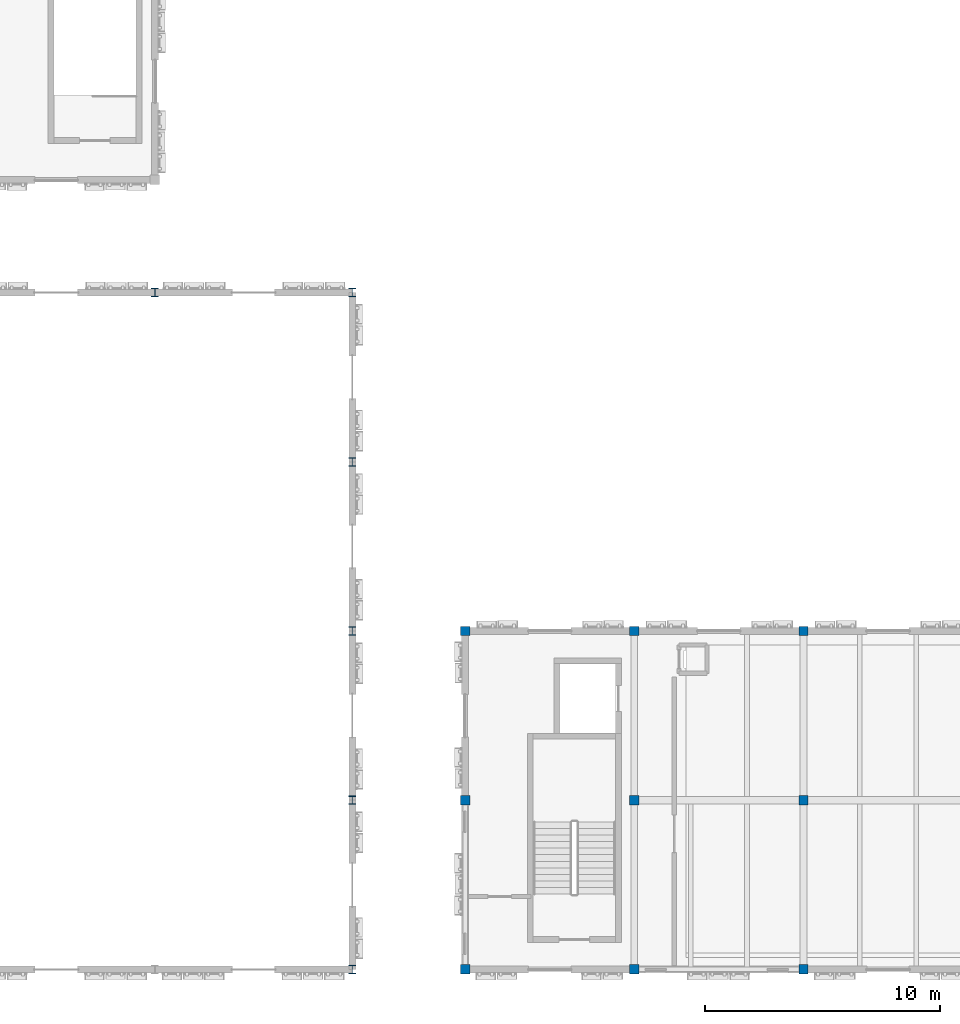
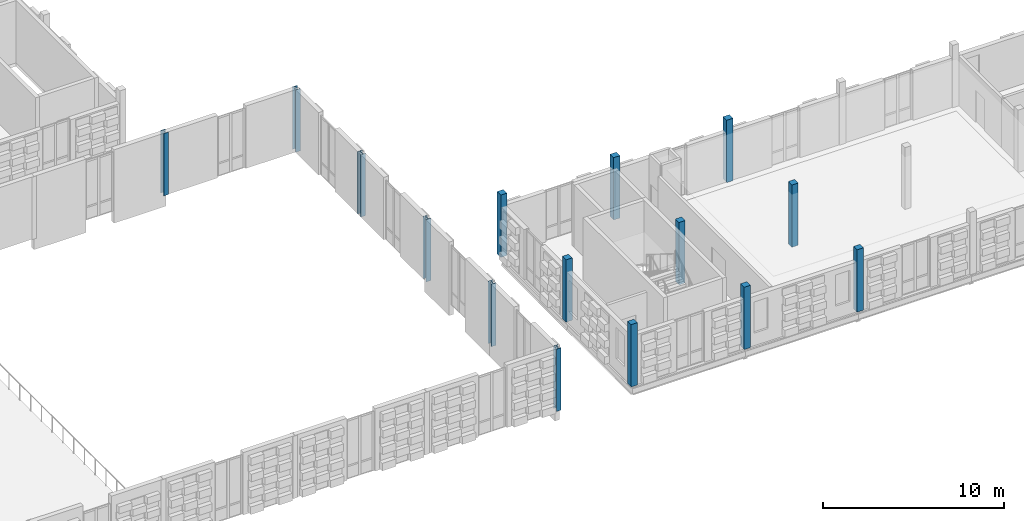
# One storey, part 2 of 81: 15 columns.
"""IFC4 building model written with IfcOpenShell, lengths in metres."""

from ifc_helpers import new_model, si_unit, direction, frame, origin, origin_2d, place, context, subcontext, project, spatial, rectangle, i_section, extrude, material, material_profile, profile_set, type_object, element, save


model = new_model("IFC4")

# Units and contexts
model_context = context("Model", 3, precision=1e-05, world=origin(), true_north=direction((0.0, 1.0)))
body_context = subcontext(model_context, "Body", "Model", "MODEL_VIEW")
ifc_project = project(units=[si_unit("LENGTHUNIT", "METRE"), si_unit("AREAUNIT", "SQUARE_METRE"), si_unit("VOLUMEUNIT", "CUBIC_METRE"), si_unit("PLANEANGLEUNIT", "RADIAN"), si_unit("MASSUNIT", "GRAM", prefix="KILO")], contexts=[model_context])

# Site, building, storey
site_placement = place(None, origin())
site = spatial("IfcSite", under=ifc_project, at=site_placement, CompositionType="ELEMENT")
building_placement = place(site_placement, origin())
building = spatial("IfcBuilding", under=site, at=building_placement, Name="Kahlenmark Community Centre", CompositionType="ELEMENT")
storey_placement = place(building_placement, frame((0.0, 0.0, 9.60009765625)))
storey = spatial("IfcBuildingStorey", under=building, at=storey_placement, Name="L02", CompositionType="ELEMENT", Elevation=9.60009765625)

# Columns
ifc_material_1 = material(Name="Glulam GL32h", Category="wood")
ifc_material_profile_1 = material_profile(ifc_material_1, rectangle(XDim=0.39990234375, YDim=0.39990234375, at=origin_2d()), Name="GL32h 400x400")
ifc_profile_set_1 = profile_set([ifc_material_profile_1], Name="Glulam GL32h")
column_type_1 = type_object("IfcColumnType", Name="CT-GL400", PredefinedType="COLUMN", material=ifc_profile_set_1)
for number, where, z_axis, x_axis, name in (
    (1, (50.800048828125, 8.800048828125, 0.0), (0.0, 0.0, 1.0), (1.0, 0.0, 0.0), "L02 column (50.8, 8.8)"),
    (2, (50.800048828125, 16.0, 0.0), (0.0, 0.0, 1.0), (1.0, 0.0, 0.0), "L02 column (50.8, 16.0)"),
    (3, (50.800048828125, 23.199951171875, 0.0), (0.0, 0.0, 1.0), (1.0, 0.0, 0.0), "L02 column (50.8, 23.2)"),
    (4, (58.0, 8.800048828125, 0.0), (0.0, 0.0, 1.0), (1.0, 0.0, 0.0), "L02 column (58.0, 8.8)"),
    (5, (58.0, 16.0, 0.0), (0.0, 0.0, 1.0), (1.0, 0.0, 0.0), "L02 column (58.0, 16.0)"),
    (6, (58.0, 23.199951171875, 0.0), (0.0, 0.0, 1.0), (1.0, 0.0, 0.0), "L02 column (58.0, 23.2)"),
    (7, (65.199951171875, 8.800048828125, 0.0), (0.0, 0.0, 1.0), (1.0, 0.0, 0.0), "L02 column (65.2, 8.8)"),
    (8, (65.199951171875, 16.0, 0.0), (0.0, 0.0, 1.0), (1.0, 0.0, 0.0), "L02 column (65.2, 16.0)"),
    (9, (65.199951171875, 23.199951171875, 0.0), (0.0, 0.0, 1.0), (1.0, 0.0, 0.0), "L02 column (65.2, 23.2)"),
):
    element("IfcColumn", number, at=place(storey_placement, frame(where, z_axis=z_axis, x_axis=x_axis)), inside=storey, type_object=column_type_1, Name=name, PredefinedType="COLUMN", context=body_context, shape_type="SweptSolid", body=[
        extrude(rectangle(XDim=0.39990234375, YDim=0.39990234375, at=origin_2d()), origin(), (0.0, 0.0, 1.0), 4.199951171875),
    ])
ifc_material_2 = material(Name="Steel S355", Category="steel")
ifc_material_profile_2 = material_profile(ifc_material_2, i_section(OverallWidth=0.300048828125, OverallDepth=0.360107421875, WebThickness=0.012451171875, FlangeThickness=0.0224609375, at=origin_2d()), Name="HEB 360")
ifc_profile_set_2 = profile_set([ifc_material_profile_2], Name="Steel S355")
column_type_2 = type_object("IfcColumnType", Name="CT-HEB360", PredefinedType="COLUMN", material=ifc_profile_set_2)
for number, where, z_axis, x_axis, name in (
    (10, (37.60009765625, 37.60009765625, 0.0), (0.0, 0.0, 1.0), (1.0, 0.0, 0.0), "L02 column (37.6, 37.6)"),
    (11, (46.0, 8.800048828125, 0.0), (0.0, 0.0, 1.0), (1.0, 0.0, 0.0), "L02 column (46.0, 8.8)"),
    (12, (46.0, 16.0, 0.0), (0.0, 0.0, 1.0), (1.0, 0.0, 0.0), "L02 column (46.0, 16.0)"),
    (13, (46.0, 23.199951171875, 0.0), (0.0, 0.0, 1.0), (1.0, 0.0, 0.0), "L02 column (46.0, 23.2)"),
    (14, (46.0, 30.39990234375, 0.0), (0.0, 0.0, 1.0), (1.0, 0.0, 0.0), "L02 column (46.0, 30.4)"),
    (15, (46.0, 37.60009765625, 0.0), (0.0, 0.0, 1.0), (1.0, 0.0, 0.0), "L02 column (46.0, 37.6)"),
):
    element("IfcColumn", number, at=place(storey_placement, frame(where, z_axis=z_axis, x_axis=x_axis)), inside=storey, type_object=column_type_2, Name=name, PredefinedType="COLUMN", context=body_context, shape_type="SweptSolid", body=[
        extrude(i_section(OverallWidth=0.300048828125, OverallDepth=0.360107421875, WebThickness=0.012451171875, FlangeThickness=0.0224609375, at=origin_2d()), origin(), (0.0, 0.0, 1.0), 4.199951171875),
    ])

save(model, "model.ifc")
